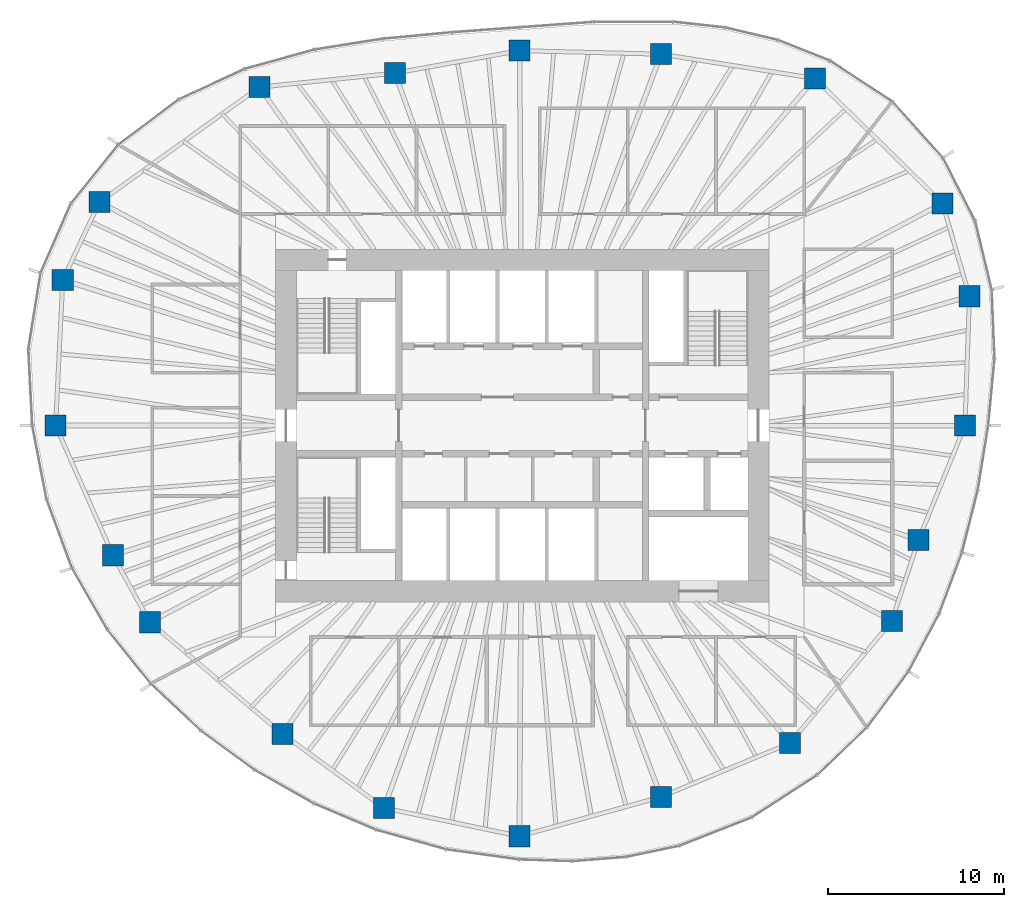
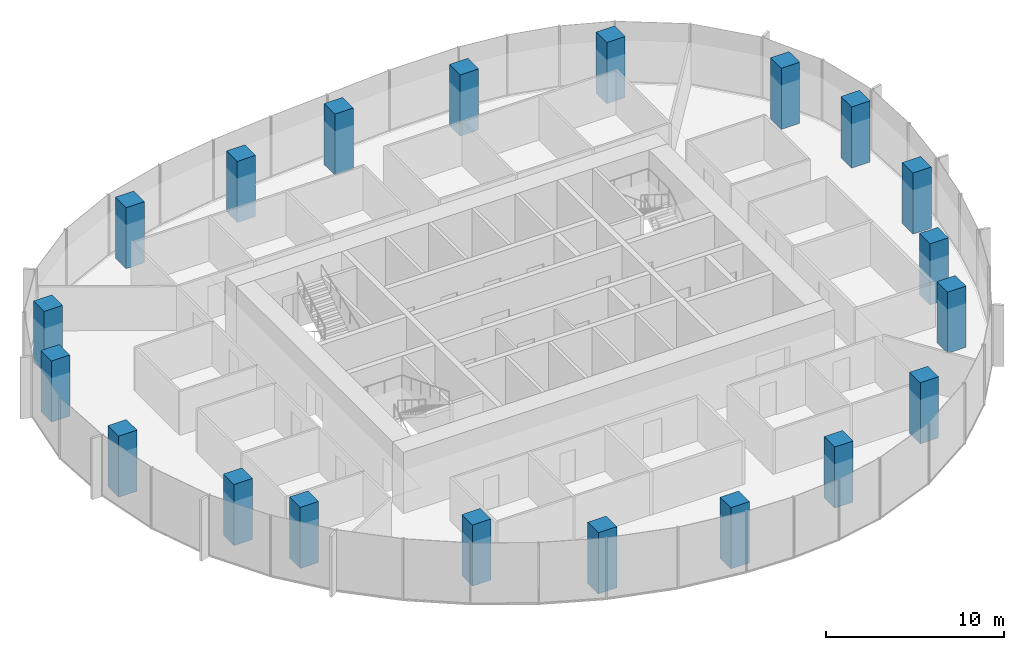
# One storey, part 1 of 12: 20 columns.
"""IFC4 building model written with IfcOpenShell, lengths in metres."""

from ifc_helpers import new_model, si_unit, direction, frame, origin, origin_2d, place, context, subcontext, project, spatial, rectangle, extrude, material, material_profile, profile_set, type_object, element, save


model = new_model("IFC4")

# Units and contexts
model_context = context("Model", 3, precision=1e-05, world=origin(), true_north=direction((0.0, 1.0)))
body_context = subcontext(model_context, "Body", "Model", "MODEL_VIEW")
ifc_project = project(units=[si_unit("LENGTHUNIT", "METRE"), si_unit("AREAUNIT", "SQUARE_METRE"), si_unit("VOLUMEUNIT", "CUBIC_METRE"), si_unit("PLANEANGLEUNIT", "RADIAN"), si_unit("MASSUNIT", "GRAM", prefix="KILO")], contexts=[model_context])

# Site, building, storey
site_placement = place(None, origin())
site = spatial("IfcSite", under=ifc_project, at=site_placement, CompositionType="ELEMENT")
building_placement = place(site_placement, origin())
building = spatial("IfcBuilding", under=site, at=building_placement, Name="Ghaith Harvest Tower", CompositionType="ELEMENT")
storey_placement = place(building_placement, frame((0.0, 0.0, 249.39990234375)))
storey = spatial("IfcBuildingStorey", under=building, at=storey_placement, Name="L55", CompositionType="ELEMENT", Elevation=249.39990234375)

# Columns
ifc_material = material(Name="Concrete C60/75", Category="concrete")
ifc_material_profile = material_profile(ifc_material, rectangle(XDim=1.199951171875, YDim=1.199951171875, at=origin_2d()), Name="RC1200X1200")
ifc_profile_set = profile_set([ifc_material_profile], Name="Concrete C60/75")
column_type = type_object("IfcColumnType", Name="TC6 RC1200X1200", PredefinedType="COLUMN", material=ifc_profile_set)
for number, where, z_axis, x_axis, name in (
    (1, (25.125, 0.0, 0.0), (0.0, 0.0, 1.0), (1.0, 0.0, 0.0), "Perimeter column C01"),
    (2, (25.3779296875, 7.3349609375, 0.0), (0.0, 0.0, 1.0), (1.0, 0.0, 0.0), "Perimeter column C02"),
    (3, (23.85205078125, 12.60693359375, 0.0), (0.0, 0.0, 1.0), (1.0, 0.0, 0.0), "Perimeter column C03"),
    (4, (16.60791015625, 19.695068359375, 0.0), (0.0, 0.0, 1.0), (1.0, 0.0, 0.0), "Perimeter column C04"),
    (5, (7.8779296875, 21.072021484375, 0.0), (0.0, 0.0, 1.0), (1.0, 0.0, 0.0), "Perimeter column C05"),
    (6, (-0.14599609375, 21.27099609375, 0.0), (0.0, 0.0, 1.0), (1.0, 0.0, 0.0), "Perimeter column C06"),
    (7, (-7.221923828125, 19.9970703125, 0.0), (0.0, 0.0, 1.0), (1.0, 0.0, 0.0), "Perimeter column C07"),
    (8, (-14.910888671875, 19.199951171875, 0.0), (0.0, 0.0, 1.0), (1.0, 0.0, 0.0), "Perimeter column C08"),
    (9, (-23.986083984375, 12.677978515625, 0.0), (0.0, 0.0, 1.0), (1.0, 0.0, 0.0), "Perimeter column C09"),
    (10, (-26.06689453125, 8.260986328125, 0.0), (0.0, 0.0, 1.0), (1.0, 0.0, 0.0), "Perimeter column C10"),
    (11, (-26.47509765625, 0.0, 0.0), (0.0, 0.0, 1.0), (1.0, 0.0, 0.0), "Perimeter column C11"),
    (12, (-23.22412109375, -7.360107421875, 0.0), (0.0, 0.0, 1.0), (1.0, 0.0, 0.0), "Perimeter column C12"),
    (13, (-21.125, -11.166015625, 0.0), (0.0, 0.0, 1.0), (1.0, 0.0, 0.0), "Perimeter column C13"),
    (14, (-13.594970703125, -17.5048828125, 0.0), (0.0, 0.0, 1.0), (1.0, 0.0, 0.0), "Perimeter column C14"),
    (15, (-7.837890625, -21.699951171875, 0.0), (0.0, 0.0, 1.0), (1.0, 0.0, 0.0), "Perimeter column C15"),
    (16, (-0.158935546875, -23.304931640625, 0.0), (0.0, 0.0, 1.0), (1.0, 0.0, 0.0), "Perimeter column C16"),
    (17, (7.8779296875, -21.072021484375, 0.0), (0.0, 0.0, 1.0), (1.0, 0.0, 0.0), "Perimeter column C17"),
    (18, (15.197998046875, -18.02294921875, 0.0), (0.0, 0.0, 1.0), (1.0, 0.0, 0.0), "Perimeter column C18"),
    (19, (20.97705078125, -11.087890625, 0.0), (0.0, 0.0, 1.0), (1.0, 0.0, 0.0), "Perimeter column C19"),
    (20, (22.485107421875, -6.4990234375, 0.0), (0.0, 0.0, 1.0), (1.0, 0.0, 0.0), "Perimeter column C20"),
):
    element("IfcColumn", number, at=place(storey_placement, frame(where, z_axis=z_axis, x_axis=x_axis)), inside=storey, type_object=column_type, Name=name, PredefinedType="COLUMN", context=body_context, shape_type="SweptSolid", body=[
        extrude(rectangle(XDim=1.199951171875, YDim=1.199951171875, at=origin_2d()), origin(), (0.0, 0.0, 1.0), 4.2001953125),
    ])

save(model, "model.ifc")
